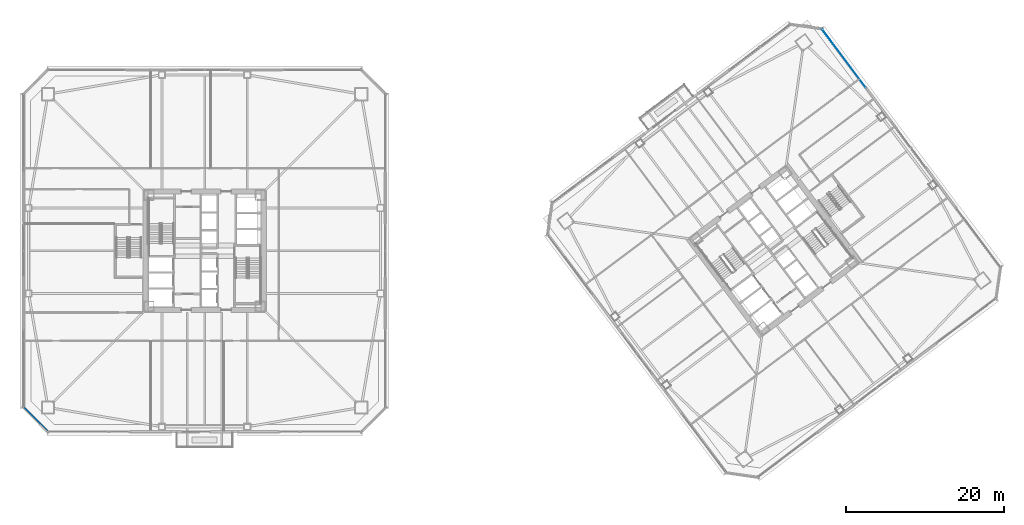
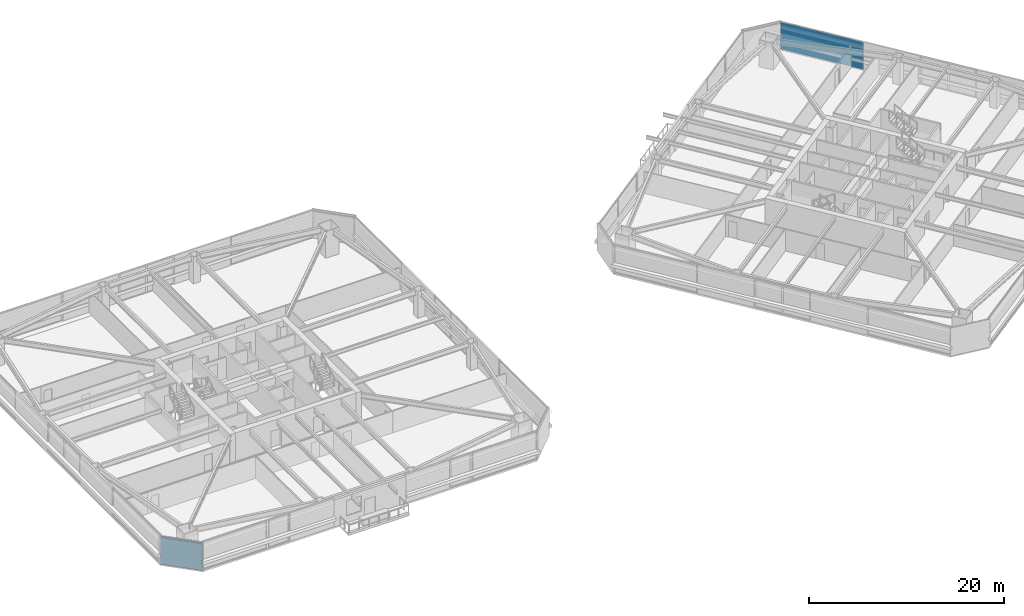
# One storey, part 32 of 45: 1 plate, 1 wall, 1 element without a shape of its own.
"""IFC4 building model written with IfcOpenShell, lengths in metres."""

import ifcopenshell
import ifcopenshell.guid

model = None  # the IFC model being written
_history = None  # IfcOwnerHistory: only IFC2X3 demands one
_inside = {}  # id of a spatial element -> (the spatial element, [elements in it])
_under = {}  # id of a project, library or spatial element -> (it, [spatial elements below it])
_declared = {}  # id of a project -> (the project, [libraries it declares])
_typed = {}  # id of a type object -> (the type object, [elements of that type])
_made_of = {}  # id of a material, layer set ... -> (it, [elements and type objects made of it])


def new_model(schema):
    """Start an empty IFC model of exactly this schema.

    Asked for "IFC4X3", IfcOpenShell would pick the latest addendum, in which some entities
    have other attributes; the version numbers below select the first issue.
    IFC2X3 requires an IfcOwnerHistory on every rooted entity: one is made here for all.
    """
    global model, _history
    if schema == "IFC4X3":
        model = ifcopenshell.file(schema_version=(4, 3, 0, 0))
    else:
        model = ifcopenshell.file(schema=schema)
    _inside.clear()
    _under.clear()
    _declared.clear()
    _typed.clear()
    _made_of.clear()
    _history = None
    if model.schema == "IFC2X3":
        org = make("IfcOrganization", Name="unknown")
        user = make(
            "IfcPersonAndOrganization",
            ThePerson=make("IfcPerson", FamilyName="unknown"),
            TheOrganization=org,
        )
        app = make(
            "IfcApplication",
            ApplicationDeveloper=org,
            Version="unknown",
            ApplicationFullName="unknown",
            ApplicationIdentifier="unknown",
        )
        _history = make(
            "IfcOwnerHistory",
            OwningUser=user,
            OwningApplication=app,
            ChangeAction="ADDED",
            CreationDate=0,
        )
    return model


def make(cls, **values):
    """One entity of the class cls with the attributes given. An attribute that is None is left unset."""
    return model.create_entity(
        cls, **{name: value for name, value in values.items() if value is not None}
    )


def rooted(cls, **values):
    """An entity with a GlobalId (a new one), such as an element, a storey or a relation."""
    return make(cls, GlobalId=ifcopenshell.guid.new(), OwnerHistory=_history, **values)


def si_unit(unit_type, name, prefix=None):
    """IfcSIUnit, for example si_unit("LENGTHUNIT", "METRE", prefix="MILLI")."""
    return make("IfcSIUnit", UnitType=unit_type, Prefix=prefix, Name=name)


def assignment(units):
    """IfcUnitAssignment: the units of a project."""
    return None if units is None else make("IfcUnitAssignment", Units=units)


def point(xyz):
    """IfcCartesianPoint."""
    return None if xyz is None else make("IfcCartesianPoint", Coordinates=xyz)


def direction(xyz):
    """IfcDirection."""
    return None if xyz is None else make("IfcDirection", DirectionRatios=xyz)


def frame(location, z_axis=None, x_axis=None):
    """IfcAxis2Placement3D, a coordinate frame: its origin and axes. An axis left out is left unset."""
    return make(
        "IfcAxis2Placement3D",
        Location=point(location),
        Axis=direction(z_axis),
        RefDirection=direction(x_axis),
    )


def frame_2d(location, x_axis=None):
    """IfcAxis2Placement2D, a coordinate frame in the plane: its origin and x axis."""
    return make(
        "IfcAxis2Placement2D", Location=point(location), RefDirection=direction(x_axis)
    )


def origin():
    """The frame at (0, 0, 0) with its axes left unset."""
    return frame((0.0, 0.0, 0.0))


def origin_2d():
    """The frame at (0, 0) in the plane with its x axis left unset."""
    return frame_2d((0.0, 0.0))


def place(relative_to, where):
    """IfcLocalPlacement: puts the frame where relative to a parent placement (None: the world)."""
    return make(
        "IfcLocalPlacement", PlacementRelTo=relative_to, RelativePlacement=where
    )


def context(
    kind, dimensions, precision=None, world=None, true_north=None, identifier=None
):
    """IfcGeometricRepresentationContext, for example the 3D "Model" context."""
    return make(
        "IfcGeometricRepresentationContext",
        ContextIdentifier=identifier,
        ContextType=kind,
        CoordinateSpaceDimension=dimensions,
        Precision=precision,
        WorldCoordinateSystem=world,
        TrueNorth=true_north,
    )


def subcontext(parent, identifier, kind, view, scale=None):
    """IfcGeometricRepresentationSubContext, for example "Body" below "Model"."""
    return make(
        "IfcGeometricRepresentationSubContext",
        ContextIdentifier=identifier,
        ContextType=kind,
        ParentContext=parent,
        TargetScale=scale,
        TargetView=view,
    )


def project(units=None, contexts=None):
    """IfcProject with its units and contexts."""
    return rooted(
        "IfcProject",
        Name="project",
        RepresentationContexts=contexts,
        UnitsInContext=assignment(units),
    )


def spatial(cls, under=None, at=None, **own):
    """A site, building, storey or space (cls), placed at a placement, below another one or the project."""
    s = rooted(cls, ObjectPlacement=at, **own)
    if under is not None:
        _under.setdefault(under.id(), (under, []))[1].append(s)
    return s


def profile(cls, at=None, kind="AREA", **sizes):
    """A parametric profile (cls). Its sizes go by their IFC names, for example OverallWidth=200.0."""
    return make(cls, ProfileType=kind, Position=at, **sizes)


def rectangle(**sizes):
    """IfcRectangleProfileDef."""
    return profile("IfcRectangleProfileDef", **sizes)


def extrude(swept, where, along, depth):
    """IfcExtrudedAreaSolid: the profile swept, set in the frame where, extruded along a direction by depth."""
    return make(
        "IfcExtrudedAreaSolid",
        SweptArea=swept,
        Position=where,
        ExtrudedDirection=direction(along),
        Depth=depth,
    )


def shape(context_of_items, identifier, shape_type, items):
    """IfcShapeRepresentation: the items that make up one representation, for example the "Body"."""
    return make(
        "IfcShapeRepresentation",
        ContextOfItems=context_of_items,
        RepresentationIdentifier=identifier,
        RepresentationType=shape_type,
        Items=items,
    )


def material(Name=None, Category=None):
    """IfcMaterial."""
    return make("IfcMaterial", Name=Name, Category=Category)


def layer(
    of_material, thickness, ventilated=None, Name=None, Category=None, Priority=None
):
    """IfcMaterialLayer: one layer of a wall or slab, of a material (None: an air gap)."""
    return make(
        "IfcMaterialLayer",
        Material=of_material,
        LayerThickness=thickness,
        IsVentilated=ventilated,
        Name=Name,
        Category=Category,
        Priority=Priority,
    )


def layer_set(layers, Name=None):
    """IfcMaterialLayerSet."""
    return make("IfcMaterialLayerSet", MaterialLayers=layers, LayerSetName=Name)


def made_of(thing, what):
    """Note that an element or type object is made of a material, layer set ...; save() writes the relation."""
    if what is not None:
        _made_of.setdefault(what.id(), (what, []))[1].append(thing)
    return thing


def type_object(cls, material=None, **own):
    """A type object (cls), such as IfcWallType, which elements share."""
    return made_of(rooted(cls, **own), material)


def element(
    cls,
    number,
    at=None,
    inside=None,
    cuts=None,
    type_object=None,
    material=None,
    context=None,
    identifier="Body",
    shape_type=None,
    held_by="IfcProductDefinitionShape",
    body=None,
    shapes=None,
    **own,
):
    """One element of the class cls, such as IfcWall. Its Tag is "e" and its number.

    at: its placement. inside: the storey or other place that contains it. cuts: it is an
    opening in that element (IfcRelVoidsElement). A single representation is given by context,
    identifier, shape_type and body (its items); several are given by shapes. held_by: the class
    of the entity that holds the representations. save() writes the other relations.
    """
    e = rooted(cls, Tag="e%d" % number, ObjectPlacement=at, **own)
    if body is not None:
        shapes = [shape(context, identifier, shape_type, body)]
    if shapes is not None:
        e.Representation = make(held_by, Representations=shapes)
    if inside is not None:
        _inside.setdefault(inside.id(), (inside, []))[1].append(e)
    if cuts is not None:
        rooted(
            "IfcRelVoidsElement", RelatingBuildingElement=cuts, RelatedOpeningElement=e
        )
    if type_object is not None:
        _typed.setdefault(type_object.id(), (type_object, []))[1].append(e)
    return made_of(e, material)


def aggregate(whole, parts):
    """IfcRelAggregates: a whole, such as a stair, and the parts it consists of."""
    return rooted("IfcRelAggregates", RelatingObject=whole, RelatedObjects=parts)


def save(model, path):
    """Write the relations noted so far, then the file.

    IfcRelAggregates (storeys below a building ...), IfcRelContainedInSpatialStructure (elements
    in a storey), IfcRelDefinesByType, IfcRelAssociatesMaterial and IfcRelDeclares: one each for
    every whole, place, type object, material and project.
    """
    for whole, parts in _under.values():
        aggregate(whole, parts)
    for where, things in _inside.values():
        rooted(
            "IfcRelContainedInSpatialStructure",
            RelatedElements=things,
            RelatingStructure=where,
        )
    for kind, things in _typed.values():
        rooted("IfcRelDefinesByType", RelatedObjects=things, RelatingType=kind)
    for what, things in _made_of.values():
        rooted("IfcRelAssociatesMaterial", RelatedObjects=things, RelatingMaterial=what)
    for by, libraries in _declared.values():
        rooted("IfcRelDeclares", RelatingContext=by, RelatedDefinitions=libraries)
    model.write(path)


model = new_model("IFC4")

# Units and contexts
model_context = context("Model", 3, precision=1e-05, world=origin(), true_north=direction((0.0, 1.0)))
body_context = subcontext(model_context, "Body", "Model", "MODEL_VIEW")
ifc_project = project(units=[si_unit("LENGTHUNIT", "METRE"), si_unit("AREAUNIT", "SQUARE_METRE"), si_unit("VOLUMEUNIT", "CUBIC_METRE"), si_unit("PLANEANGLEUNIT", "RADIAN"), si_unit("MASSUNIT", "GRAM", prefix="KILO")], contexts=[model_context])

# Site, building, storey
site_placement = place(None, origin())
site = spatial("IfcSite", under=ifc_project, at=site_placement, CompositionType="ELEMENT")
building_placement = place(site_placement, origin())
building = spatial("IfcBuilding", under=site, at=building_placement, Name="Tashvorn Skyway Center", CompositionType="ELEMENT")
storey_placement = place(building_placement, frame((0.0, 0.0, 35.25)))
storey = spatial("IfcBuildingStorey", under=building, at=storey_placement, Name="L08", CompositionType="ELEMENT", Elevation=35.25)

# Curtain wall, plate
ifc_material_1 = material(Name="Thermally broken bronze-anodized aluminium 6063-T6", Category="aluminium")
curtain_wall_type = type_object("IfcCurtainWallType", Name="CW-CW-Z1", PredefinedType="NOTDEFINED", material=ifc_material_1)
curtain_wall_placement = place(storey_placement, origin())
curtain_wall = element("IfcCurtainWall", 1, at=curtain_wall_placement, inside=storey, type_object=curtain_wall_type, Name="Tower 2 L08 East Unitised Curtain Wall Glazing Group 1", PredefinedType="NOTDEFINED")
ifc_material_2 = material(Name="Low-E solar-control double insulating safety glass", Category="glass")
ifc_layer_1 = layer(ifc_material_2, 0.048095703125)
ifc_layer_set_1 = layer_set([ifc_layer_1], Name="Low-E solar-control double insulating safety glass")
plate_type = type_object("IfcPlateType", Name="CWP-CW-Z1", PredefinedType="CURTAIN_PANEL", material=ifc_layer_set_1)
plate_placement = place(storey_placement, frame((122.847900390625, 56.3359375, 0.0849609375), z_axis=(0.0, 0.0, 1.0), x_axis=(0.600000000002, -0.799999999998, 0.0)))
plate = element("IfcPlate", 2, at=plate_placement, type_object=plate_type, Name="CW-Z1 panel 1.1", PredefinedType="CURTAIN_PANEL", context=body_context, shape_type="SweptSolid", body=[
    extrude(rectangle(XDim=9.27001953125, YDim=0.048095703125, at=origin_2d()), origin(), (0.0, 0.0, 1.0), 3.3798828125),
])
aggregate(curtain_wall, [plate])

# Wall
ifc_material_3 = material(Name="Precast concrete C40/50", Category="concrete")
ifc_layer_2 = layer(ifc_material_3, 0.280029296875)
ifc_layer_set_2 = layer_set([ifc_layer_2], Name="Precast concrete C40/50")
wall_type = type_object("IfcWallType", Name="WALL-EXT-280", PredefinedType="SOLIDWALL", material=ifc_layer_set_2)
wall_placement = place(storey_placement, frame((22.199951171875, 9.10009765625, 0.0), z_axis=(0.0, 0.0, 1.0), x_axis=(-0.707106781187, 0.707106781187, 0.0)))
element("IfcWall", 3, at=wall_placement, inside=storey, type_object=wall_type, Name="Tower 1 L08 SW Precast Chamfer Wall", PredefinedType="SOLIDWALL", context=body_context, shape_type="SweptSolid", body=[
    extrude(rectangle(XDim=4.3837890625, YDim=0.280029296875, at=frame_2d((2.19189453125, 0.0))), origin(), (0.0, 0.0, 1.0), 3.35009765625),
])

save(model, "model.ifc")
